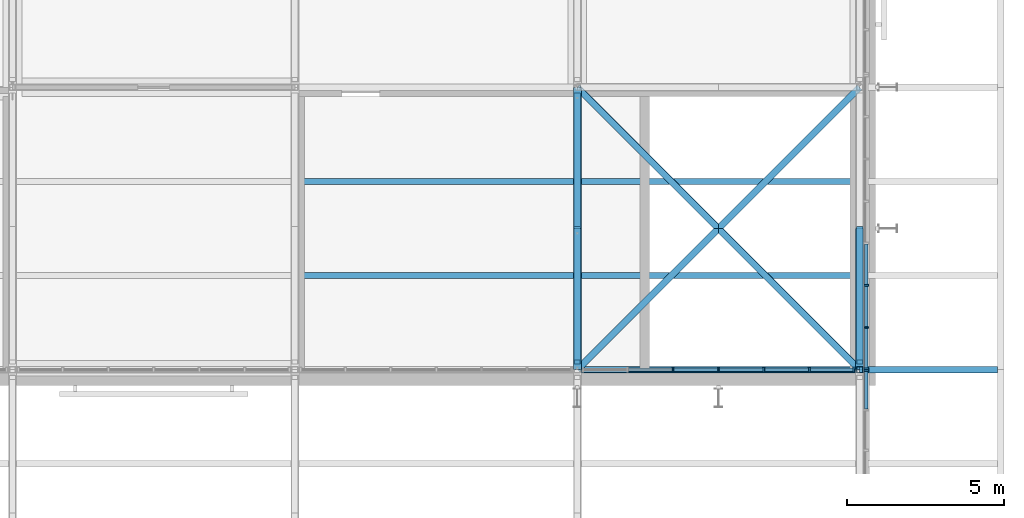
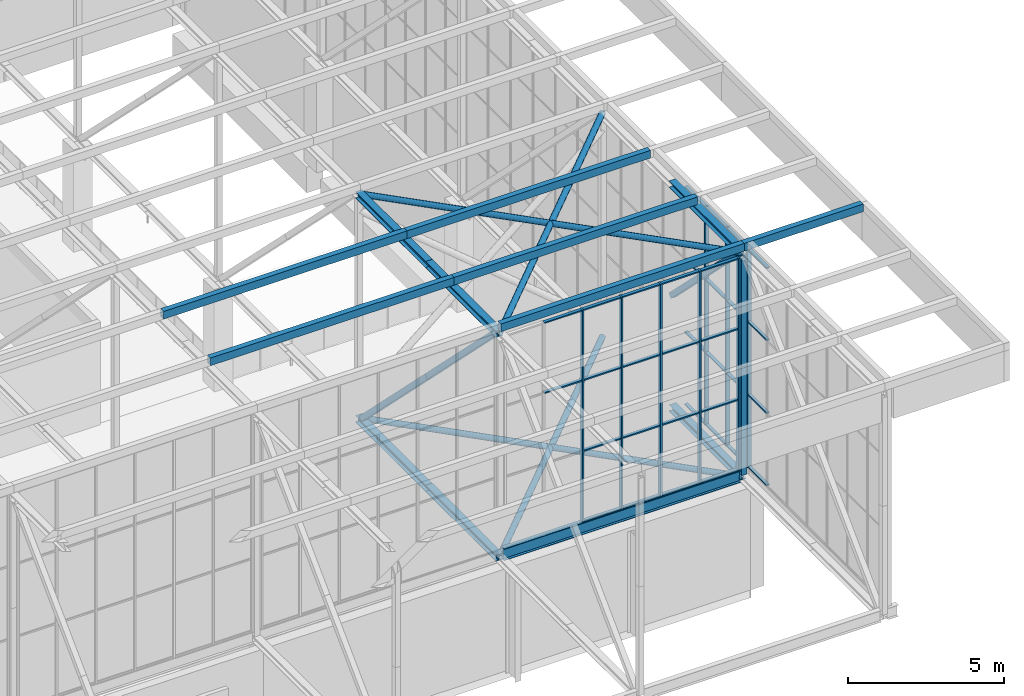
# One storey, part 85 of 646: 68 members, 1 beam, 3 elements without a shape of their own.
"""IFC4 building model written with IfcOpenShell, lengths in metres."""

from ifc_helpers import new_model, si_unit, direction, frame, origin, origin_2d, place, context, subcontext, project, spatial, rectangle, hollow_rectangle, hollow_circle, i_section, extrude, material, material_profile, profile_set, type_object, element, aggregate, save


model = new_model("IFC4")

# Units and contexts
model_context = context("Model", 3, precision=1e-05, world=origin(), true_north=direction((0.0, 1.0)))
body_context = subcontext(model_context, "Body", "Model", "MODEL_VIEW")
ifc_project = project(units=[si_unit("LENGTHUNIT", "METRE"), si_unit("AREAUNIT", "SQUARE_METRE"), si_unit("VOLUMEUNIT", "CUBIC_METRE"), si_unit("PLANEANGLEUNIT", "RADIAN"), si_unit("MASSUNIT", "GRAM", prefix="KILO")], contexts=[model_context])

# Site, building, storey
site_placement = place(None, origin())
site = spatial("IfcSite", under=ifc_project, at=site_placement, CompositionType="ELEMENT")
building_placement = place(site_placement, origin())
building = spatial("IfcBuilding", under=site, at=building_placement, Name="Silverbay Arena", CompositionType="ELEMENT")
storey_placement = place(building_placement, frame((0.0, 0.0, 33.5)))
storey = spatial("IfcBuildingStorey", under=building, at=storey_placement, Name="L05", CompositionType="ELEMENT", Elevation=33.5)

# Curtain wall, members
ifc_material_1 = material(Name="Aluminium framed glazing", Category="aluminium")
curtain_wall_type_1 = type_object("IfcCurtainWallType", Name="Curtain wall clerestory 8693 x 8303", PredefinedType="NOTDEFINED", material=ifc_material_1)
curtain_wall_1_placement = place(storey_placement, origin())
curtain_wall_1 = element("IfcCurtainWall", 1, at=curtain_wall_1_placement, inside=storey, type_object=curtain_wall_type_1, Name="ROOF CLERESTORY CURTAIN WALL south bay 17", PredefinedType="NOTDEFINED")
ifc_material_2 = material(Name="Aluminium", Category="aluminium")
ifc_material_profile_1 = material_profile(ifc_material_2, rectangle(XDim=0.159912109375, YDim=0.06005859375, at=origin_2d()), Name="Mullion 60 x 160")
ifc_profile_set_1 = profile_set([ifc_material_profile_1], Name="Aluminium")
member_type_1 = type_object("IfcMemberType", Name="Mullion 60 x 160", PredefinedType="MULLION", material=ifc_profile_set_1)
member_1_placement = place(storey_placement, frame((201.05126953125, 18.0, 4.4599609375), z_axis=(0.0, 0.0, 1.0), x_axis=(0.0, 1.0, 0.0)))
member_1 = element("IfcMember", 2, at=member_1_placement, type_object=member_type_1, Name="CW54 mullion 3", PredefinedType="MULLION", context=body_context, shape_type="SweptSolid", body=[
    extrude(rectangle(XDim=0.159912109375, YDim=0.06005859375, at=origin_2d()), origin(), (0.0, 0.0, 1.0), 8.303466796875),
])
member_2_placement = place(storey_placement, frame((202.5, 18.0, 4.4599609375), z_axis=(0.0, 0.0, 1.0), x_axis=(0.0, 1.0, 0.0)))
member_2 = element("IfcMember", 3, at=member_2_placement, type_object=member_type_1, Name="CW54 mullion 4", PredefinedType="MULLION", context=body_context, shape_type="SweptSolid", body=[
    extrude(rectangle(XDim=0.159912109375, YDim=0.06005859375, at=origin_2d()), origin(), (0.0, 0.0, 1.0), 8.303466796875),
])
member_3_placement = place(storey_placement, frame((203.94873046875, 18.0, 4.4599609375), z_axis=(0.0, 0.0, 1.0), x_axis=(0.0, 1.0, 0.0)))
member_3 = element("IfcMember", 4, at=member_3_placement, type_object=member_type_1, Name="CW54 mullion 5", PredefinedType="MULLION", context=body_context, shape_type="SweptSolid", body=[
    extrude(rectangle(XDim=0.159912109375, YDim=0.06005859375, at=origin_2d()), origin(), (0.0, 0.0, 1.0), 8.303466796875),
])
member_4_placement = place(storey_placement, frame((205.3974609375, 18.0, 4.4599609375), z_axis=(0.0, 0.0, 1.0), x_axis=(0.0, 1.0, 0.0)))
member_4 = element("IfcMember", 5, at=member_4_placement, type_object=member_type_1, Name="CW54 mullion 6", PredefinedType="MULLION", context=body_context, shape_type="SweptSolid", body=[
    extrude(rectangle(XDim=0.159912109375, YDim=0.06005859375, at=origin_2d()), origin(), (0.0, 0.0, 1.0), 8.303466796875),
])
member_5_placement = place(storey_placement, frame((206.81640625, 18.0, 4.4599609375), z_axis=(0.0, 0.0, 1.0), x_axis=(0.0, 1.0, 0.0)))
member_5 = element("IfcMember", 6, at=member_5_placement, type_object=member_type_1, Name="CW54 mullion 7", PredefinedType="MULLION", context=body_context, shape_type="SweptSolid", body=[
    extrude(rectangle(XDim=0.159912109375, YDim=0.06005859375, at=origin_2d()), origin(), (0.0, 0.0, 1.0), 8.303466796875),
])

# Curtain wall, member
ifc_material_3 = material(Name="Aluminium framed glazing", Category="aluminium")
curtain_wall_type_2 = type_object("IfcCurtainWallType", Name="Curtain wall clerestory 9000 x 8547", PredefinedType="NOTDEFINED", material=ifc_material_3)
curtain_wall_2_placement = place(storey_placement, origin())
curtain_wall_2 = element("IfcCurtainWall", 7, at=curtain_wall_2_placement, inside=storey, type_object=curtain_wall_type_2, Name="ROOF GABLE CLERESTORY CURTAIN WALL east bay 01", PredefinedType="NOTDEFINED")
member_6_placement = place(storey_placement, frame((207.2099609375, 17.969970703125, 4.453369140625), z_axis=(0.0, 0.0, 1.0), x_axis=(-1.0, 0.0, 0.0)))
member_6 = element("IfcMember", 8, at=member_6_placement, type_object=member_type_1, Name="CW57 mullion 8", PredefinedType="MULLION", context=body_context, shape_type="SweptSolid", body=[
    extrude(rectangle(XDim=0.159912109375, YDim=0.06005859375, at=origin_2d()), origin(), (0.0, 0.0, 1.0), 8.546630859375),
])

# Curtain wall, members
ifc_material_4 = material(Name="Aluminium framed glazing", Category="aluminium")
curtain_wall_type_3 = type_object("IfcCurtainWallType", Name="Curtain wall clerestory 9400 x 8547", PredefinedType="NOTDEFINED", material=ifc_material_4)
curtain_wall_3_placement = place(storey_placement, origin())
curtain_wall_3 = element("IfcCurtainWall", 9, at=curtain_wall_3_placement, inside=storey, type_object=curtain_wall_type_3, Name="ROOF GABLE CLERESTORY CURTAIN WALL east bay 02", PredefinedType="NOTDEFINED")
member_7_placement = place(storey_placement, frame((207.2099609375, 18.030029296875, 4.453369140625), z_axis=(0.0, 0.0, 1.0), x_axis=(-1.0, 0.0, 0.0)))
member_7 = element("IfcMember", 10, at=member_7_placement, type_object=member_type_1, Name="CW58 mullion 1", PredefinedType="MULLION", context=body_context, shape_type="SweptSolid", body=[
    extrude(rectangle(XDim=0.159912109375, YDim=0.06005859375, at=origin_2d()), origin(), (0.0, 0.0, 1.0), 8.546630859375),
])
member_8_placement = place(storey_placement, frame((207.2099609375, 19.3427734375, 4.453369140625), z_axis=(0.0, 0.0, 1.0), x_axis=(-1.0, 0.0, 0.0)))
member_8 = element("IfcMember", 11, at=member_8_placement, type_object=member_type_1, Name="CW58 mullion 2", PredefinedType="MULLION", context=body_context, shape_type="SweptSolid", body=[
    extrude(rectangle(XDim=0.159912109375, YDim=0.06005859375, at=origin_2d()), origin(), (0.0, 0.0, 1.0), 8.546630859375),
])
member_9_placement = place(storey_placement, frame((207.2099609375, 20.685791015625, 4.453369140625), z_axis=(0.0, 0.0, 1.0), x_axis=(-1.0, 0.0, 0.0)))
member_9 = element("IfcMember", 12, at=member_9_placement, type_object=member_type_1, Name="CW58 mullion 3", PredefinedType="MULLION", context=body_context, shape_type="SweptSolid", body=[
    extrude(rectangle(XDim=0.159912109375, YDim=0.06005859375, at=origin_2d()), origin(), (0.0, 0.0, 1.0), 8.546630859375),
])

# Members
ifc_material_5 = material(Name="Steel S355", Category="steel")
ifc_material_profile_2 = material_profile(ifc_material_5, hollow_circle(Radius=0.109619140625, WallThickness=0.00634765625, at=origin_2d()), Name="CHS 219.1x6.3")
ifc_profile_set_2 = profile_set([ifc_material_profile_2], Name="Steel S355")
member_type_2 = type_object("IfcMemberType", Name="Plan bracing CHS 219.1x6.3", PredefinedType="BRACE", material=ifc_profile_set_2)
for number, where, z_axis, x_axis, name in (
    (13, (198.0, 18.0, 12.873046875), (0.707106781187, 0.707106781187, 0.0), (-0.707106781187, 0.707106781187, 0.0), "ROOF BRACING top 23-24 panel 02 Aa"),
    (14, (202.5, 22.5, 12.873046875), (0.707106781187, 0.707106781187, 0.0), (-0.707106781187, 0.707106781187, 0.0), "ROOF BRACING top 23-24 panel 02 Ab"),
    (15, (198.0, 27.0, 12.873046875), (0.707106781187, -0.707106781187, 0.0), (0.707106781187, 0.707106781187, 0.0), "ROOF BRACING top 23-24 panel 02 Ba"),
    (16, (202.5, 22.5, 12.873046875), (0.707106781187, -0.707106781187, 0.0), (0.707106781187, 0.707106781187, 0.0), "ROOF BRACING top 23-24 panel 02 Bb"),
    (17, (198.0, 18.0, 4.126953125), (0.707106781187, 0.707106781187, 0.0), (-0.707106781187, 0.707106781187, 0.0), "ROOF BRACING bottom 23-24 panel 02 Aa"),
    (18, (202.5, 22.5, 4.126953125), (0.707106781187, 0.707106781187, 0.0), (-0.707106781187, 0.707106781187, 0.0), "ROOF BRACING bottom 23-24 panel 02 Ab"),
    (19, (198.0, 27.0, 4.126953125), (0.707106781187, -0.707106781187, 0.0), (0.707106781187, 0.707106781187, 0.0), "ROOF BRACING bottom 23-24 panel 02 Ba"),
    (20, (202.5, 22.5, 4.126953125), (0.707106781187, -0.707106781187, 0.0), (0.707106781187, 0.707106781187, 0.0), "ROOF BRACING bottom 23-24 panel 02 Bb"),
):
    element("IfcMember", number, at=place(storey_placement, frame(where, z_axis=z_axis, x_axis=x_axis)), inside=storey, type_object=member_type_2, Name=name, PredefinedType="BRACE", context=body_context, shape_type="SweptSolid", body=[
        extrude(hollow_circle(Radius=0.109619140625, WallThickness=0.00634765625, at=origin_2d()), origin(), (0.0, 0.0, 1.0), 6.364013671875),
    ])
ifc_material_6 = material(Name="Steel S355", Category="steel")
ifc_material_profile_3 = material_profile(ifc_material_6, hollow_rectangle(XDim=0.199951171875, YDim=0.300048828125, WallThickness=0.00634765625, at=origin_2d()), Name="RHS 300x200x6.3")
ifc_profile_set_3 = profile_set([ifc_material_profile_3], Name="Steel S355")
member_type_3 = type_object("IfcMemberType", Name="Purlin RHS 300x200x6.3", PredefinedType="PURLIN", material=ifc_profile_set_3)
member_10_placement = place(storey_placement, frame((189.0, 24.0, 13.14990234375), z_axis=(1.0, 0.0, 0.0), x_axis=(0.0, 1.0, 0.0)))
element("IfcMember", 21, at=member_10_placement, inside=storey, type_object=member_type_3, Name="ROOF PURLIN 22-23 line 06", PredefinedType="PURLIN", context=body_context, shape_type="SweptSolid", body=[
    extrude(hollow_rectangle(XDim=0.199951171875, YDim=0.300048828125, WallThickness=0.00634765625, at=origin_2d()), origin(), (0.0, 0.0, 1.0), 9.0),
])
ifc_material_7 = material(Name="Steel S355", Category="steel")
ifc_material_profile_4 = material_profile(ifc_material_7, hollow_rectangle(XDim=0.199951171875, YDim=0.300048828125, WallThickness=0.008056640625, at=origin_2d()), Name="RHS 300x200x8")
ifc_profile_set_4 = profile_set([ifc_material_profile_4], Name="Steel S355")
member_type_4 = type_object("IfcMemberType", Name="Purlin RHS 300x200x8", PredefinedType="PURLIN", material=ifc_profile_set_4)
for number, where, z_axis, x_axis, name in (
    (22, (189.0, 21.0, 13.14990234375), (1.0, 0.0, 0.0), (0.0, 1.0, 0.0), "ROOF PURLIN 22-23 line 05"),
    (23, (198.0, 18.0, 13.14990234375), (1.0, 0.0, 0.0), (0.0, 1.0, 0.0), "ROOF PURLIN 23-24 line 04"),
    (24, (198.0, 21.0, 13.14990234375), (1.0, 0.0, 0.0), (0.0, 1.0, 0.0), "ROOF PURLIN 23-24 line 05"),
    (25, (198.0, 24.0, 13.14990234375), (1.0, 0.0, 0.0), (0.0, 1.0, 0.0), "ROOF PURLIN 23-24 line 06"),
):
    element("IfcMember", number, at=place(storey_placement, frame(where, z_axis=z_axis, x_axis=x_axis)), inside=storey, type_object=member_type_4, Name=name, PredefinedType="PURLIN", context=body_context, shape_type="SweptSolid", body=[
        extrude(hollow_rectangle(XDim=0.199951171875, YDim=0.300048828125, WallThickness=0.008056640625, at=origin_2d()), origin(), (0.0, 0.0, 1.0), 9.0),
    ])
member_11_placement = place(storey_placement, frame((211.39990234375, 18.0, 13.14990234375), z_axis=(-1.0, 0.0, 0.0), x_axis=(0.0, -1.0, 0.0)))
element("IfcMember", 26, at=member_11_placement, inside=storey, type_object=member_type_4, Name="ROOF PURLIN east eave line 04", PredefinedType="PURLIN", context=body_context, shape_type="SweptSolid", body=[
    extrude(hollow_rectangle(XDim=0.199951171875, YDim=0.300048828125, WallThickness=0.008056640625, at=origin_2d()), origin(), (0.0, 0.0, 1.0), 4.39990234375),
])

# Beam
ifc_material_8 = material(Name="Steel S355", Category="steel")
ifc_material_profile_5 = material_profile(ifc_material_8, i_section(OverallWidth=0.19140625, OverallDepth=0.4599609375, WebThickness=0.010009765625, FlangeThickness=0.01611328125, at=origin_2d()), Name="UB 457x191x82")
ifc_profile_set_5 = profile_set([ifc_material_profile_5], Name="Steel S355")
beam_type = type_object("IfcBeamType", Name="Ring beam UB 457x191x82", PredefinedType="BEAM", material=ifc_profile_set_5)
beam_placement = place(storey_placement, frame((198.127197265625, 18.0, 4.22998046875), z_axis=(1.0, 0.0, 0.0), x_axis=(0.0, 1.0, 0.0)))
element("IfcBeam", 27, at=beam_placement, inside=storey, type_object=beam_type, Name="RING BEAM south facade 23-24", PredefinedType="BEAM", context=body_context, shape_type="SweptSolid", body=[
    extrude(i_section(OverallWidth=0.19140625, OverallDepth=0.4599609375, WebThickness=0.010009765625, FlangeThickness=0.01611328125, at=origin_2d()), origin(), (0.0, 0.0, 1.0), 8.74560546875),
])

# Members
ifc_material_9 = material(Name="Steel S355", Category="steel")
ifc_material_profile_6 = material_profile(ifc_material_9, i_section(OverallWidth=0.254638671875, OverallDepth=0.254150390625, WebThickness=0.008544921875, FlangeThickness=0.01416015625, at=origin_2d()), Name="UC 254x254x73")
ifc_profile_set_6 = profile_set([ifc_material_profile_6], Name="Steel S355")
member_type_5 = type_object("IfcMemberType", Name="Short-span bottom chord UC 254x254x73", PredefinedType="CHORD", material=ifc_profile_set_6)
for number, where, z_axis, x_axis, name in (
    (28, (198.0, 18.0, 4.126953125), (0.0, 1.0, 0.0), (-1.0, 0.0, 0.0), "ROOF TRUSS 23 bottom chord 02a"),
    (29, (198.0, 22.5, 4.126953125), (0.0, 1.0, 0.0), (-1.0, 0.0, 0.0), "ROOF TRUSS 23 bottom chord 02b"),
    (30, (207.0, 18.0, 4.126953125), (0.0, 1.0, 0.0), (-1.0, 0.0, 0.0), "ROOF TRUSS 24 bottom chord 02a"),
):
    element("IfcMember", number, at=place(storey_placement, frame(where, z_axis=z_axis, x_axis=x_axis)), inside=storey, type_object=member_type_5, Name=name, PredefinedType="CHORD", context=body_context, shape_type="SweptSolid", body=[
        extrude(i_section(OverallWidth=0.254638671875, OverallDepth=0.254150390625, WebThickness=0.008544921875, FlangeThickness=0.01416015625, at=origin_2d()), origin(), (0.0, 0.0, 1.0), 4.5),
    ])
ifc_material_10 = material(Name="Steel S355", Category="steel")
ifc_material_profile_7 = material_profile(ifc_material_10, i_section(OverallWidth=0.254638671875, OverallDepth=0.254150390625, WebThickness=0.008544921875, FlangeThickness=0.01416015625, at=origin_2d()), Name="UC 254x254x73")
ifc_profile_set_7 = profile_set([ifc_material_profile_7], Name="Steel S355")
member_type_6 = type_object("IfcMemberType", Name="Short-span top chord UC 254x254x73", PredefinedType="CHORD", material=ifc_profile_set_7)
for number, where, z_axis, x_axis, name in (
    (31, (198.0, 18.0, 12.873046875), (0.0, 1.0, 0.0), (-1.0, 0.0, 0.0), "ROOF TRUSS 23 top chord 02a"),
    (32, (198.0, 22.5, 12.873046875), (0.0, 1.0, 0.0), (-1.0, 0.0, 0.0), "ROOF TRUSS 23 top chord 02b"),
    (33, (207.0, 18.0, 12.873046875), (0.0, 1.0, 0.0), (-1.0, 0.0, 0.0), "ROOF TRUSS 24 top chord 02a"),
):
    element("IfcMember", number, at=place(storey_placement, frame(where, z_axis=z_axis, x_axis=x_axis)), inside=storey, type_object=member_type_6, Name=name, PredefinedType="CHORD", context=body_context, shape_type="SweptSolid", body=[
        extrude(i_section(OverallWidth=0.254638671875, OverallDepth=0.254150390625, WebThickness=0.008544921875, FlangeThickness=0.01416015625, at=origin_2d()), origin(), (0.0, 0.0, 1.0), 4.5),
    ])
ifc_material_11 = material(Name="Steel S355", Category="steel")
ifc_material_profile_8 = material_profile(ifc_material_11, hollow_rectangle(XDim=0.199951171875, YDim=0.199951171875, WallThickness=0.008056640625, at=origin_2d()), Name="SHS 200x200x8")
ifc_profile_set_8 = profile_set([ifc_material_profile_8], Name="Steel S355")
member_type_7 = type_object("IfcMemberType", Name="Short-span truss diagonal SHS 200x200x8", PredefinedType="BRACE", material=ifc_profile_set_8)
for number, where, z_axis, x_axis, name in (
    (34, (198.0, 18.24560546875, 12.745849609375), (0.0, 0.70781724692, -0.706395600894), (-1.0, 0.0, 0.0), "ROOF TRUSS 23 diagonal 02a"),
    (35, (198.0, 22.5, 8.5), (0.0, 0.70781724692, -0.706395600894), (-1.0, 0.0, 0.0), "ROOF TRUSS 23 diagonal 02b"),
    (36, (207.0, 18.24560546875, 12.745849609375), (0.0, 0.70781724692, -0.706395600894), (-1.0, 0.0, 0.0), "ROOF TRUSS 24 diagonal 02a"),
):
    element("IfcMember", number, at=place(storey_placement, frame(where, z_axis=z_axis, x_axis=x_axis)), inside=storey, type_object=member_type_7, Name=name, PredefinedType="BRACE", context=body_context, shape_type="SweptSolid", body=[
        extrude(hollow_rectangle(XDim=0.199951171875, YDim=0.199951171875, WallThickness=0.008056640625, at=origin_2d()), origin(), (0.0, 0.0, 1.0), 6.010498046875),
    ])
ifc_material_12 = material(Name="Steel S355", Category="steel")
ifc_material_profile_9 = material_profile(ifc_material_12, hollow_rectangle(XDim=0.199951171875, YDim=0.199951171875, WallThickness=0.008056640625, at=origin_2d()), Name="SHS 200x200x8")
ifc_profile_set_9 = profile_set([ifc_material_profile_9], Name="Steel S355")
member_type_8 = type_object("IfcMemberType", Name="Short-span truss vertical SHS 200x200x8", PredefinedType="STRUT", material=ifc_profile_set_9)
for number, where, z_axis, x_axis, name in (
    (37, (207.0, 18.0, 4.254150390625), (0.0, 0.0, 1.0), (1.0, 0.0, 0.0), "ROOF TRUSS 24 vertical 02a"),
    (38, (207.0, 18.0, 8.5), (0.0, 0.0, 1.0), (1.0, 0.0, 0.0), "ROOF TRUSS 24 vertical 02b"),
):
    element("IfcMember", number, at=place(storey_placement, frame(where, z_axis=z_axis, x_axis=x_axis)), inside=storey, type_object=member_type_8, Name=name, PredefinedType="STRUT", context=body_context, shape_type="SweptSolid", body=[
        extrude(hollow_rectangle(XDim=0.199951171875, YDim=0.199951171875, WallThickness=0.008056640625, at=origin_2d()), origin(), (0.0, 0.0, 1.0), 4.245849609375),
    ])

# Member
ifc_material_13 = material(Name="Aluminium", Category="aluminium")
ifc_material_profile_10 = material_profile(ifc_material_13, rectangle(XDim=0.1201171875, YDim=0.050048828125, at=origin_2d()), Name="Transom 50 x 120")
ifc_profile_set_10 = profile_set([ifc_material_profile_10], Name="Aluminium")
member_type_9 = type_object("IfcMemberType", Name="Transom 50 x 120", PredefinedType="USERDEFINED", material=ifc_profile_set_10)
member_12_placement = place(storey_placement, frame((199.632568359375, 18.0, 9.99560546875), z_axis=(1.0, 0.0, 0.0), x_axis=(0.0, 1.0, 0.0)))
member_12 = element("IfcMember", 39, at=member_12_placement, type_object=member_type_9, Name="CW54 transom 2.3", ObjectType="TRANSOM", PredefinedType="USERDEFINED", context=body_context, shape_type="SweptSolid", body=[
    extrude(rectangle(XDim=0.1201171875, YDim=0.050048828125, at=origin_2d()), origin(), (0.0, 0.0, 1.0), 1.388671875),
])

member_13_placement = place(storey_placement, frame((199.632568359375, 18.0, 12.73828125), z_axis=(1.0, 0.0, 0.0), x_axis=(0.0, 1.0, 0.0)))
member_13 = element("IfcMember", 40, at=member_13_placement, type_object=member_type_9, Name="CW54 transom 2.4", ObjectType="TRANSOM", PredefinedType="USERDEFINED", context=body_context, shape_type="SweptSolid", body=[
    extrude(rectangle(XDim=0.1201171875, YDim=0.050048828125, at=origin_2d()), origin(), (0.0, 0.0, 1.0), 1.388671875),
])

member_14_placement = place(storey_placement, frame((201.081298828125, 18.0, 4.485107421875), z_axis=(1.0, 0.0, 0.0), x_axis=(0.0, 1.0, 0.0)))
member_14 = element("IfcMember", 41, at=member_14_placement, type_object=member_type_9, Name="CW54 transom 3.1", ObjectType="TRANSOM", PredefinedType="USERDEFINED", context=body_context, shape_type="SweptSolid", body=[
    extrude(rectangle(XDim=0.1201171875, YDim=0.050048828125, at=origin_2d()), origin(), (0.0, 0.0, 1.0), 1.388671875),
])

member_15_placement = place(storey_placement, frame((201.081298828125, 18.0, 7.227783203125), z_axis=(1.0, 0.0, 0.0), x_axis=(0.0, 1.0, 0.0)))
member_15 = element("IfcMember", 42, at=member_15_placement, type_object=member_type_9, Name="CW54 transom 3.2", ObjectType="TRANSOM", PredefinedType="USERDEFINED", context=body_context, shape_type="SweptSolid", body=[
    extrude(rectangle(XDim=0.1201171875, YDim=0.050048828125, at=origin_2d()), origin(), (0.0, 0.0, 1.0), 1.388671875),
])

member_16_placement = place(storey_placement, frame((201.081298828125, 18.0, 9.99560546875), z_axis=(1.0, 0.0, 0.0), x_axis=(0.0, 1.0, 0.0)))
member_16 = element("IfcMember", 43, at=member_16_placement, type_object=member_type_9, Name="CW54 transom 3.3", ObjectType="TRANSOM", PredefinedType="USERDEFINED", context=body_context, shape_type="SweptSolid", body=[
    extrude(rectangle(XDim=0.1201171875, YDim=0.050048828125, at=origin_2d()), origin(), (0.0, 0.0, 1.0), 1.388671875),
])

member_17_placement = place(storey_placement, frame((201.081298828125, 18.0, 12.73828125), z_axis=(1.0, 0.0, 0.0), x_axis=(0.0, 1.0, 0.0)))
member_17 = element("IfcMember", 44, at=member_17_placement, type_object=member_type_9, Name="CW54 transom 3.4", ObjectType="TRANSOM", PredefinedType="USERDEFINED", context=body_context, shape_type="SweptSolid", body=[
    extrude(rectangle(XDim=0.1201171875, YDim=0.050048828125, at=origin_2d()), origin(), (0.0, 0.0, 1.0), 1.388671875),
])

member_18_placement = place(storey_placement, frame((202.530029296875, 18.0, 4.485107421875), z_axis=(1.0, 0.0, 0.0), x_axis=(0.0, 1.0, 0.0)))
member_18 = element("IfcMember", 45, at=member_18_placement, type_object=member_type_9, Name="CW54 transom 4.1", ObjectType="TRANSOM", PredefinedType="USERDEFINED", context=body_context, shape_type="SweptSolid", body=[
    extrude(rectangle(XDim=0.1201171875, YDim=0.050048828125, at=origin_2d()), origin(), (0.0, 0.0, 1.0), 1.388671875),
])

member_19_placement = place(storey_placement, frame((202.530029296875, 18.0, 7.227783203125), z_axis=(1.0, 0.0, 0.0), x_axis=(0.0, 1.0, 0.0)))
member_19 = element("IfcMember", 46, at=member_19_placement, type_object=member_type_9, Name="CW54 transom 4.2", ObjectType="TRANSOM", PredefinedType="USERDEFINED", context=body_context, shape_type="SweptSolid", body=[
    extrude(rectangle(XDim=0.1201171875, YDim=0.050048828125, at=origin_2d()), origin(), (0.0, 0.0, 1.0), 1.388671875),
])

member_20_placement = place(storey_placement, frame((202.530029296875, 18.0, 9.99560546875), z_axis=(1.0, 0.0, 0.0), x_axis=(0.0, 1.0, 0.0)))
member_20 = element("IfcMember", 47, at=member_20_placement, type_object=member_type_9, Name="CW54 transom 4.3", ObjectType="TRANSOM", PredefinedType="USERDEFINED", context=body_context, shape_type="SweptSolid", body=[
    extrude(rectangle(XDim=0.1201171875, YDim=0.050048828125, at=origin_2d()), origin(), (0.0, 0.0, 1.0), 1.388671875),
])

member_21_placement = place(storey_placement, frame((202.530029296875, 18.0, 12.73828125), z_axis=(1.0, 0.0, 0.0), x_axis=(0.0, 1.0, 0.0)))
member_21 = element("IfcMember", 48, at=member_21_placement, type_object=member_type_9, Name="CW54 transom 4.4", ObjectType="TRANSOM", PredefinedType="USERDEFINED", context=body_context, shape_type="SweptSolid", body=[
    extrude(rectangle(XDim=0.1201171875, YDim=0.050048828125, at=origin_2d()), origin(), (0.0, 0.0, 1.0), 1.388671875),
])

member_22_placement = place(storey_placement, frame((203.978759765625, 18.0, 4.485107421875), z_axis=(1.0, 0.0, 0.0), x_axis=(0.0, 1.0, 0.0)))
member_22 = element("IfcMember", 49, at=member_22_placement, type_object=member_type_9, Name="CW54 transom 5.1", ObjectType="TRANSOM", PredefinedType="USERDEFINED", context=body_context, shape_type="SweptSolid", body=[
    extrude(rectangle(XDim=0.1201171875, YDim=0.050048828125, at=origin_2d()), origin(), (0.0, 0.0, 1.0), 1.388671875),
])

member_23_placement = place(storey_placement, frame((203.978759765625, 18.0, 7.227783203125), z_axis=(1.0, 0.0, 0.0), x_axis=(0.0, 1.0, 0.0)))
member_23 = element("IfcMember", 50, at=member_23_placement, type_object=member_type_9, Name="CW54 transom 5.2", ObjectType="TRANSOM", PredefinedType="USERDEFINED", context=body_context, shape_type="SweptSolid", body=[
    extrude(rectangle(XDim=0.1201171875, YDim=0.050048828125, at=origin_2d()), origin(), (0.0, 0.0, 1.0), 1.388671875),
])

member_24_placement = place(storey_placement, frame((203.978759765625, 18.0, 9.99560546875), z_axis=(1.0, 0.0, 0.0), x_axis=(0.0, 1.0, 0.0)))
member_24 = element("IfcMember", 51, at=member_24_placement, type_object=member_type_9, Name="CW54 transom 5.3", ObjectType="TRANSOM", PredefinedType="USERDEFINED", context=body_context, shape_type="SweptSolid", body=[
    extrude(rectangle(XDim=0.1201171875, YDim=0.050048828125, at=origin_2d()), origin(), (0.0, 0.0, 1.0), 1.388671875),
])

member_25_placement = place(storey_placement, frame((203.978759765625, 18.0, 12.73828125), z_axis=(1.0, 0.0, 0.0), x_axis=(0.0, 1.0, 0.0)))
member_25 = element("IfcMember", 52, at=member_25_placement, type_object=member_type_9, Name="CW54 transom 5.4", ObjectType="TRANSOM", PredefinedType="USERDEFINED", context=body_context, shape_type="SweptSolid", body=[
    extrude(rectangle(XDim=0.1201171875, YDim=0.050048828125, at=origin_2d()), origin(), (0.0, 0.0, 1.0), 1.388671875),
])

member_26_placement = place(storey_placement, frame((205.427490234375, 18.0, 4.485107421875), z_axis=(1.0, 0.0, 0.0), x_axis=(0.0, 1.0, 0.0)))
member_26 = element("IfcMember", 53, at=member_26_placement, type_object=member_type_9, Name="CW54 transom 6.1", ObjectType="TRANSOM", PredefinedType="USERDEFINED", context=body_context, shape_type="SweptSolid", body=[
    extrude(rectangle(XDim=0.1201171875, YDim=0.050048828125, at=origin_2d()), origin(), (0.0, 0.0, 1.0), 1.35888671875),
])

member_27_placement = place(storey_placement, frame((205.427490234375, 18.0, 7.227783203125), z_axis=(1.0, 0.0, 0.0), x_axis=(0.0, 1.0, 0.0)))
member_27 = element("IfcMember", 54, at=member_27_placement, type_object=member_type_9, Name="CW54 transom 6.2", ObjectType="TRANSOM", PredefinedType="USERDEFINED", context=body_context, shape_type="SweptSolid", body=[
    extrude(rectangle(XDim=0.1201171875, YDim=0.050048828125, at=origin_2d()), origin(), (0.0, 0.0, 1.0), 1.35888671875),
])

member_28_placement = place(storey_placement, frame((205.427490234375, 18.0, 9.99560546875), z_axis=(1.0, 0.0, 0.0), x_axis=(0.0, 1.0, 0.0)))
member_28 = element("IfcMember", 55, at=member_28_placement, type_object=member_type_9, Name="CW54 transom 6.3", ObjectType="TRANSOM", PredefinedType="USERDEFINED", context=body_context, shape_type="SweptSolid", body=[
    extrude(rectangle(XDim=0.1201171875, YDim=0.050048828125, at=origin_2d()), origin(), (0.0, 0.0, 1.0), 1.35888671875),
])

member_29_placement = place(storey_placement, frame((205.427490234375, 18.0, 12.73828125), z_axis=(1.0, 0.0, 0.0), x_axis=(0.0, 1.0, 0.0)))
member_29 = element("IfcMember", 56, at=member_29_placement, type_object=member_type_9, Name="CW54 transom 6.4", ObjectType="TRANSOM", PredefinedType="USERDEFINED", context=body_context, shape_type="SweptSolid", body=[
    extrude(rectangle(XDim=0.1201171875, YDim=0.050048828125, at=origin_2d()), origin(), (0.0, 0.0, 1.0), 1.35888671875),
])

aggregate(curtain_wall_1, [member_1, member_2, member_3, member_4, member_5, member_12, member_13, member_14, member_15, member_16, member_17, member_18, member_19, member_20, member_21, member_22, member_23, member_24, member_25, member_26, member_27, member_28, member_29])

member_30_placement = place(storey_placement, frame((207.2099609375, 16.744384765625, 4.478515625), z_axis=(0.0, 1.0, 0.0), x_axis=(-1.0, 0.0, 0.0)))
member_30 = element("IfcMember", 57, at=member_30_placement, type_object=member_type_9, Name="CW57 transom 7.1", ObjectType="TRANSOM", PredefinedType="USERDEFINED", context=body_context, shape_type="SweptSolid", body=[
    extrude(rectangle(XDim=0.1201171875, YDim=0.050048828125, at=origin_2d()), origin(), (0.0, 0.0, 1.0), 1.195556640625),
])

member_31_placement = place(storey_placement, frame((207.2099609375, 16.744384765625, 7.30224609375), z_axis=(0.0, 1.0, 0.0), x_axis=(-1.0, 0.0, 0.0)))
member_31 = element("IfcMember", 58, at=member_31_placement, type_object=member_type_9, Name="CW57 transom 7.2", ObjectType="TRANSOM", PredefinedType="USERDEFINED", context=body_context, shape_type="SweptSolid", body=[
    extrude(rectangle(XDim=0.1201171875, YDim=0.050048828125, at=origin_2d()), origin(), (0.0, 0.0, 1.0), 1.195556640625),
])

member_32_placement = place(storey_placement, frame((207.2099609375, 16.744384765625, 10.151123046875), z_axis=(0.0, 1.0, 0.0), x_axis=(-1.0, 0.0, 0.0)))
member_32 = element("IfcMember", 59, at=member_32_placement, type_object=member_type_9, Name="CW57 transom 7.3", ObjectType="TRANSOM", PredefinedType="USERDEFINED", context=body_context, shape_type="SweptSolid", body=[
    extrude(rectangle(XDim=0.1201171875, YDim=0.050048828125, at=origin_2d()), origin(), (0.0, 0.0, 1.0), 1.195556640625),
])

member_33_placement = place(storey_placement, frame((207.2099609375, 16.744384765625, 12.97509765625), z_axis=(0.0, 1.0, 0.0), x_axis=(-1.0, 0.0, 0.0)))
member_33 = element("IfcMember", 60, at=member_33_placement, type_object=member_type_9, Name="CW57 transom 7.4", ObjectType="TRANSOM", PredefinedType="USERDEFINED", context=body_context, shape_type="SweptSolid", body=[
    extrude(rectangle(XDim=0.1201171875, YDim=0.050048828125, at=origin_2d()), origin(), (0.0, 0.0, 1.0), 1.195556640625),
])

aggregate(curtain_wall_2, [member_6, member_30, member_31, member_32, member_33])

member_34_placement = place(storey_placement, frame((207.2099609375, 18.06005859375, 4.478515625), z_axis=(0.0, 1.0, 0.0), x_axis=(-1.0, 0.0, 0.0)))
member_34 = element("IfcMember", 61, at=member_34_placement, type_object=member_type_9, Name="CW58 transom 1.1", ObjectType="TRANSOM", PredefinedType="USERDEFINED", context=body_context, shape_type="SweptSolid", body=[
    extrude(rectangle(XDim=0.1201171875, YDim=0.050048828125, at=origin_2d()), origin(), (0.0, 0.0, 1.0), 1.252685546875),
])

member_35_placement = place(storey_placement, frame((207.2099609375, 18.06005859375, 7.30224609375), z_axis=(0.0, 1.0, 0.0), x_axis=(-1.0, 0.0, 0.0)))
member_35 = element("IfcMember", 62, at=member_35_placement, type_object=member_type_9, Name="CW58 transom 1.2", ObjectType="TRANSOM", PredefinedType="USERDEFINED", context=body_context, shape_type="SweptSolid", body=[
    extrude(rectangle(XDim=0.1201171875, YDim=0.050048828125, at=origin_2d()), origin(), (0.0, 0.0, 1.0), 1.252685546875),
])

member_36_placement = place(storey_placement, frame((207.2099609375, 18.06005859375, 10.151123046875), z_axis=(0.0, 1.0, 0.0), x_axis=(-1.0, 0.0, 0.0)))
member_36 = element("IfcMember", 63, at=member_36_placement, type_object=member_type_9, Name="CW58 transom 1.3", ObjectType="TRANSOM", PredefinedType="USERDEFINED", context=body_context, shape_type="SweptSolid", body=[
    extrude(rectangle(XDim=0.1201171875, YDim=0.050048828125, at=origin_2d()), origin(), (0.0, 0.0, 1.0), 1.252685546875),
])

member_37_placement = place(storey_placement, frame((207.2099609375, 18.06005859375, 12.97509765625), z_axis=(0.0, 1.0, 0.0), x_axis=(-1.0, 0.0, 0.0)))
member_37 = element("IfcMember", 64, at=member_37_placement, type_object=member_type_9, Name="CW58 transom 1.4", ObjectType="TRANSOM", PredefinedType="USERDEFINED", context=body_context, shape_type="SweptSolid", body=[
    extrude(rectangle(XDim=0.1201171875, YDim=0.050048828125, at=origin_2d()), origin(), (0.0, 0.0, 1.0), 1.252685546875),
])

member_38_placement = place(storey_placement, frame((207.2099609375, 19.372802734375, 4.478515625), z_axis=(0.0, 1.0, 0.0), x_axis=(-1.0, 0.0, 0.0)))
member_38 = element("IfcMember", 65, at=member_38_placement, type_object=member_type_9, Name="CW58 transom 2.1", ObjectType="TRANSOM", PredefinedType="USERDEFINED", context=body_context, shape_type="SweptSolid", body=[
    extrude(rectangle(XDim=0.1201171875, YDim=0.050048828125, at=origin_2d()), origin(), (0.0, 0.0, 1.0), 1.282958984375),
])

member_39_placement = place(storey_placement, frame((207.2099609375, 19.372802734375, 7.30224609375), z_axis=(0.0, 1.0, 0.0), x_axis=(-1.0, 0.0, 0.0)))
member_39 = element("IfcMember", 66, at=member_39_placement, type_object=member_type_9, Name="CW58 transom 2.2", ObjectType="TRANSOM", PredefinedType="USERDEFINED", context=body_context, shape_type="SweptSolid", body=[
    extrude(rectangle(XDim=0.1201171875, YDim=0.050048828125, at=origin_2d()), origin(), (0.0, 0.0, 1.0), 1.282958984375),
])

member_40_placement = place(storey_placement, frame((207.2099609375, 19.372802734375, 10.151123046875), z_axis=(0.0, 1.0, 0.0), x_axis=(-1.0, 0.0, 0.0)))
member_40 = element("IfcMember", 67, at=member_40_placement, type_object=member_type_9, Name="CW58 transom 2.3", ObjectType="TRANSOM", PredefinedType="USERDEFINED", context=body_context, shape_type="SweptSolid", body=[
    extrude(rectangle(XDim=0.1201171875, YDim=0.050048828125, at=origin_2d()), origin(), (0.0, 0.0, 1.0), 1.282958984375),
])

member_41_placement = place(storey_placement, frame((207.2099609375, 19.372802734375, 12.97509765625), z_axis=(0.0, 1.0, 0.0), x_axis=(-1.0, 0.0, 0.0)))
member_41 = element("IfcMember", 68, at=member_41_placement, type_object=member_type_9, Name="CW58 transom 2.4", ObjectType="TRANSOM", PredefinedType="USERDEFINED", context=body_context, shape_type="SweptSolid", body=[
    extrude(rectangle(XDim=0.1201171875, YDim=0.050048828125, at=origin_2d()), origin(), (0.0, 0.0, 1.0), 1.282958984375),
])

member_42_placement = place(storey_placement, frame((207.2099609375, 20.7158203125, 4.478515625), z_axis=(0.0, 1.0, 0.0), x_axis=(-1.0, 0.0, 0.0)))
member_42 = element("IfcMember", 69, at=member_42_placement, type_object=member_type_9, Name="CW58 transom 3.1", ObjectType="TRANSOM", PredefinedType="USERDEFINED", context=body_context, shape_type="SweptSolid", body=[
    extrude(rectangle(XDim=0.1201171875, YDim=0.050048828125, at=origin_2d()), origin(), (0.0, 0.0, 1.0), 1.28271484375),
])

member_43_placement = place(storey_placement, frame((207.2099609375, 20.7158203125, 7.30224609375), z_axis=(0.0, 1.0, 0.0), x_axis=(-1.0, 0.0, 0.0)))
member_43 = element("IfcMember", 70, at=member_43_placement, type_object=member_type_9, Name="CW58 transom 3.2", ObjectType="TRANSOM", PredefinedType="USERDEFINED", context=body_context, shape_type="SweptSolid", body=[
    extrude(rectangle(XDim=0.1201171875, YDim=0.050048828125, at=origin_2d()), origin(), (0.0, 0.0, 1.0), 1.28271484375),
])

member_44_placement = place(storey_placement, frame((207.2099609375, 20.7158203125, 10.151123046875), z_axis=(0.0, 1.0, 0.0), x_axis=(-1.0, 0.0, 0.0)))
member_44 = element("IfcMember", 71, at=member_44_placement, type_object=member_type_9, Name="CW58 transom 3.3", ObjectType="TRANSOM", PredefinedType="USERDEFINED", context=body_context, shape_type="SweptSolid", body=[
    extrude(rectangle(XDim=0.1201171875, YDim=0.050048828125, at=origin_2d()), origin(), (0.0, 0.0, 1.0), 1.28271484375),
])

member_45_placement = place(storey_placement, frame((207.2099609375, 20.7158203125, 12.97509765625), z_axis=(0.0, 1.0, 0.0), x_axis=(-1.0, 0.0, 0.0)))
member_45 = element("IfcMember", 72, at=member_45_placement, type_object=member_type_9, Name="CW58 transom 3.4", ObjectType="TRANSOM", PredefinedType="USERDEFINED", context=body_context, shape_type="SweptSolid", body=[
    extrude(rectangle(XDim=0.1201171875, YDim=0.050048828125, at=origin_2d()), origin(), (0.0, 0.0, 1.0), 1.28271484375),
])

aggregate(curtain_wall_3, [member_7, member_8, member_9, member_34, member_35, member_36, member_37, member_38, member_39, member_40, member_41, member_42, member_43, member_44, member_45])

save(model, "model.ifc")
